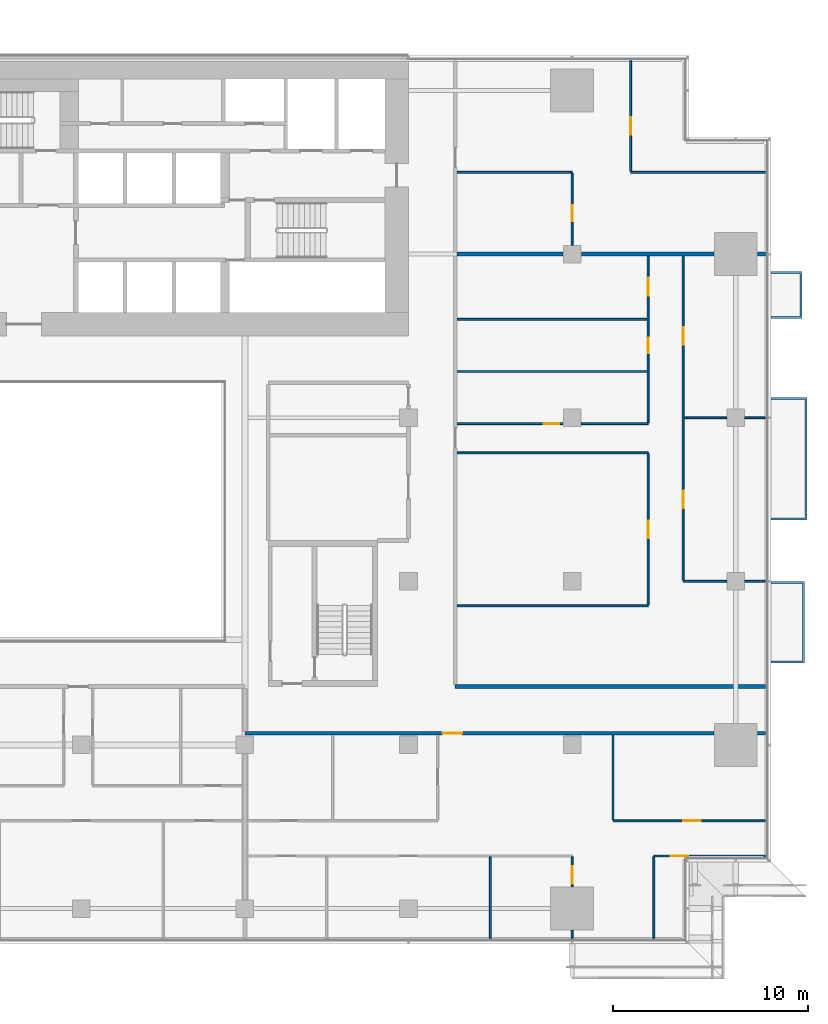
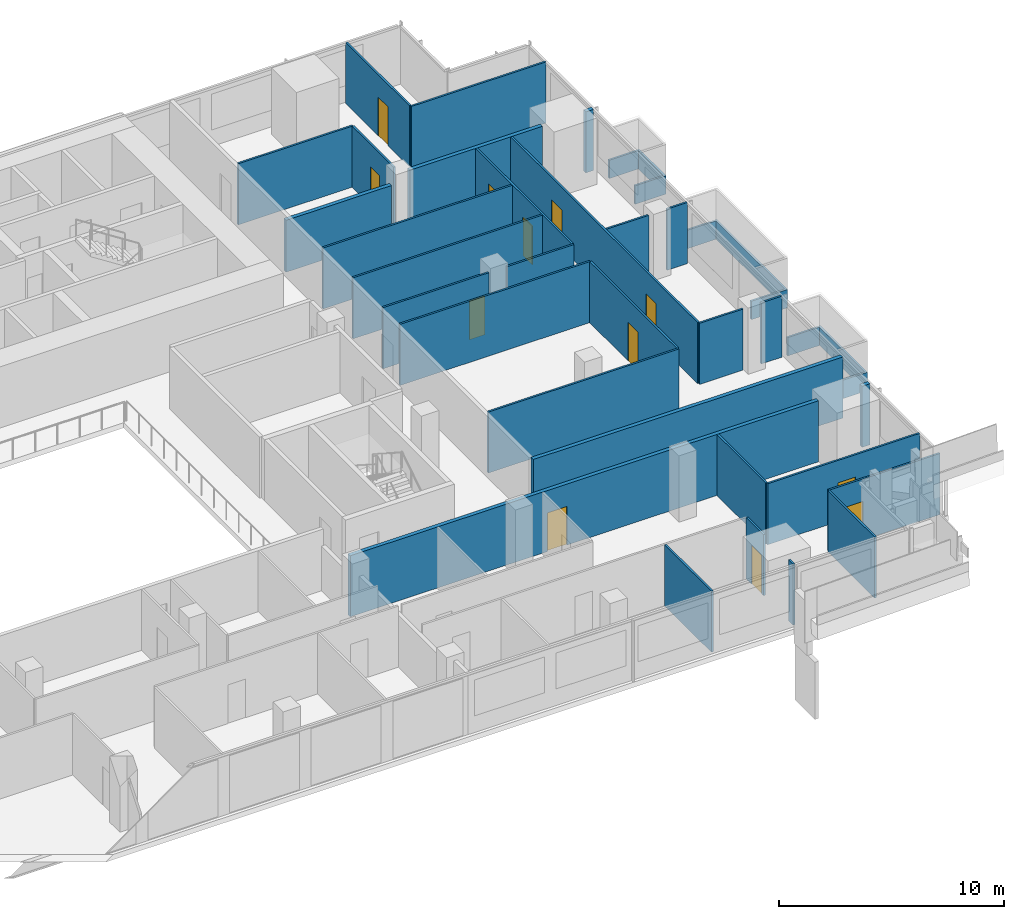
# One storey, part 23 of 29: 33 walls, 12 doors, 12 openings.
"""IFC4 building model written with IfcOpenShell, lengths in metres."""

from ifc_helpers import new_model, si_unit, direction, frame, frame_2d, origin, place, context, subcontext, project, spatial, polyline, rectangle, outline, extrude, material, layer, layer_set, type_object, element, fill, save


model = new_model("IFC4")

# Units and contexts
model_context = context("Model", 3, precision=1e-05, world=origin(), true_north=direction((0.0, 1.0)))
body_context = subcontext(model_context, "Body", "Model", "MODEL_VIEW")
ifc_project = project(units=[si_unit("LENGTHUNIT", "METRE"), si_unit("AREAUNIT", "SQUARE_METRE"), si_unit("VOLUMEUNIT", "CUBIC_METRE"), si_unit("PLANEANGLEUNIT", "RADIAN"), si_unit("MASSUNIT", "GRAM", prefix="KILO")], contexts=[model_context])

# Site, building, storey
site_placement = place(None, origin())
site = spatial("IfcSite", under=ifc_project, at=site_placement, CompositionType="ELEMENT")
building_placement = place(site_placement, origin())
building = spatial("IfcBuilding", under=site, at=building_placement, Name="Saffron Gate Tower", CompositionType="ELEMENT")
storey_placement = place(building_placement, frame((0.0, 0.0, 48.0)))
storey = spatial("IfcBuildingStorey", under=building, at=storey_placement, Name="L10", CompositionType="ELEMENT", Elevation=48.0)

# Wall, opening, door
ifc_material_1 = material(Name="Plasterboard on steel studs", Category="steel")
ifc_layer_1 = layer(ifc_material_1, 0.10009765625)
ifc_layer_set_1 = layer_set([ifc_layer_1], Name="PW1 Partition 100")
wall_type_1 = type_object("IfcWallType", Name="PW1 Partition 100", PredefinedType="PARTITIONING", material=ifc_layer_set_1)
wall_1_placement = place(storey_placement, frame((126.919921875, 34.5, 0.0), z_axis=(0.0, 0.0, 1.0), x_axis=(-1.0, 0.0, 0.0)))
wall_1 = element("IfcWall", 1, at=wall_1_placement, inside=storey, type_object=wall_type_1, Name="Partition A2-4", PredefinedType="PARTITIONING", context=body_context, shape_type="SweptSolid", body=[
    extrude(rectangle(XDim=5.719970703125, YDim=0.10009765625, at=frame_2d((2.85986328125, 0.0))), origin(), (0.0, 0.0, 1.0), 3.320068359375),
])
opening_1_placement = place(wall_1_placement, frame((3.96630859375, 0.0, 0.0)))
opening_1 = element("IfcOpeningElement", 2, at=opening_1_placement, cuts=wall_1, Name="Opening A2-19", PredefinedType="OPENING", context=body_context, shape_type="SweptSolid", body=[
    extrude(rectangle(XDim=0.89990234375, YDim=2.10009765625, at=frame_2d((0.449951171875, 1.050048828125))), frame((0.0, 0.06005859375, 0.0), z_axis=(0.0, -1.0, 0.0), x_axis=(1.0, 0.0, 0.0)), (0.0, 0.0, 1.0), 0.1201171875),
])
ifc_material_2 = material(Name="Timber door set", Category="wood")
door_type_1 = type_object("IfcDoorType", Name="RD1 Room door 900x2100", OperationType="NOTDEFINED", PredefinedType="DOOR", material=ifc_material_2)
door_1_placement = place(opening_1_placement, origin())
door_1 = element("IfcDoor", 3, at=door_1_placement, inside=storey, type_object=door_type_1, Name="Door A2-19", OperationType="SINGLE_SWING_RIGHT", OverallHeight=2.10009765625, OverallWidth=0.89990234375, PredefinedType="DOOR", context=body_context, shape_type="SweptSolid", body=[
    extrude(rectangle(XDim=0.89990234375, YDim=2.10009765625, at=frame_2d((0.449951171875, 1.050048828125))), frame((0.0, 0.02490234375, 0.0), z_axis=(0.0, -1.0, 0.0), x_axis=(1.0, 0.0, 0.0)), (0.0, 0.0, 1.0), 0.050048828125),
])
fill(opening_1, door_1)

wall_2_placement = place(storey_placement, frame((119.10009765625, 36.300048828125, 0.0), z_axis=(0.0, 0.0, 1.0), x_axis=(1.0, 0.0, 0.0)))
wall_2 = element("IfcWall", 4, at=wall_2_placement, inside=storey, type_object=wall_type_1, Name="Partition A2-6", PredefinedType="PARTITIONING", context=body_context, shape_type="SweptSolid", body=[
    extrude(rectangle(XDim=7.81982421875, YDim=0.10009765625, at=frame_2d((3.909912109375, 0.0))), origin(), (0.0, 0.0, 1.0), 3.320068359375),
])
opening_2_placement = place(wall_2_placement, frame((3.60009765625, 0.0, 0.0)))
opening_2 = element("IfcOpeningElement", 5, at=opening_2_placement, cuts=wall_2, Name="Opening A2-20", PredefinedType="OPENING", context=body_context, shape_type="SweptSolid", body=[
    extrude(rectangle(XDim=0.89990234375, YDim=2.10009765625, at=frame_2d((0.449951171875, 1.050048828125))), frame((0.0, 0.06005859375, 0.0), z_axis=(0.0, -1.0, 0.0), x_axis=(1.0, 0.0, 0.0)), (0.0, 0.0, 1.0), 0.1201171875),
])
door_2_placement = place(opening_2_placement, origin())
door_2 = element("IfcDoor", 6, at=door_2_placement, inside=storey, type_object=door_type_1, Name="Door A2-20", OperationType="SINGLE_SWING_RIGHT", OverallHeight=2.10009765625, OverallWidth=0.89990234375, PredefinedType="DOOR", context=body_context, shape_type="SweptSolid", body=[
    extrude(rectangle(XDim=0.89990234375, YDim=2.10009765625, at=frame_2d((0.449951171875, 1.050048828125))), frame((0.0, 0.02490234375, 0.0), z_axis=(0.0, -1.0, 0.0), x_axis=(1.0, 0.0, 0.0)), (0.0, 0.0, 1.0), 0.050048828125),
])
fill(opening_2, door_2)

# Walls
wall_3_placement = place(storey_placement, frame((111.10009765625, 47.34130859375, 0.0), z_axis=(0.0, 0.0, 1.0), x_axis=(1.0, 0.0, 0.0)))
element("IfcWall", 7, at=wall_3_placement, inside=storey, type_object=wall_type_1, Name="Partition A2-16", PredefinedType="PARTITIONING", context=body_context, shape_type="SweptSolid", body=[
    extrude(rectangle(XDim=9.7998046875, YDim=0.10009765625, at=frame_2d((4.89990234375, 0.0))), origin(), (0.0, 0.0, 1.0), 3.320068359375),
])
wall_4_placement = place(storey_placement, frame((122.699951171875, 48.60009765625, 0.0), z_axis=(0.0, 0.0, 1.0), x_axis=(1.0, 0.0, 0.0)))
element("IfcWall", 8, at=wall_4_placement, inside=storey, type_object=wall_type_1, Name="Partition A2-19", PredefinedType="PARTITIONING", context=body_context, shape_type="SweptSolid", body=[
    extrude(rectangle(XDim=2.22998046875, YDim=0.10009765625, at=frame_2d((1.114990234375, 0.0))), origin(), (0.0, 0.0, 1.0), 3.320068359375),
])
wall_5_placement = place(storey_placement, frame((125.8701171875, 48.60009765625, 0.0), z_axis=(0.0, 0.0, 1.0), x_axis=(1.0, 0.0, 0.0)))
element("IfcWall", 9, at=wall_5_placement, inside=storey, type_object=wall_type_1, Name="Partition A2-20", PredefinedType="PARTITIONING", context=body_context, shape_type="SweptSolid", body=[
    extrude(rectangle(XDim=1.0498046875, YDim=0.10009765625, at=frame_2d((0.52490234375, 0.0))), origin(), (0.0, 0.0, 1.0), 3.320068359375),
])
wall_6_placement = place(storey_placement, frame((111.10009765625, 55.199951171875, 0.0), z_axis=(0.0, 0.0, 1.0), x_axis=(1.0, 0.0, 0.0)))
element("IfcWall", 10, at=wall_6_placement, inside=storey, type_object=wall_type_1, Name="Partition A2-27", PredefinedType="PARTITIONING", context=body_context, shape_type="SweptSolid", body=[
    extrude(rectangle(XDim=9.7998046875, YDim=0.10009765625, at=frame_2d((4.89990234375, 0.0))), origin(), (0.0, 0.0, 1.0), 3.320068359375),
])

# Wall, opening, door
wall_7_placement = place(storey_placement, frame((111.10009765625, 56.699951171875, 0.0), z_axis=(0.0, 0.0, 1.0), x_axis=(1.0, 0.0, 0.0)))
wall_7 = element("IfcWall", 11, at=wall_7_placement, inside=storey, type_object=wall_type_1, Name="Partition A2-30", PredefinedType="PARTITIONING", context=body_context, shape_type="SweptSolid", body=[
    extrude(rectangle(XDim=5.429931640625, YDim=0.10009765625, at=frame_2d((2.71484375, 0.0))), origin(), (0.0, 0.0, 1.0), 3.320068359375),
])
opening_3_placement = place(wall_7_placement, frame((4.449951171875, 0.0, 0.0)))
opening_3 = element("IfcOpeningElement", 12, at=opening_3_placement, cuts=wall_7, Name="Opening A2-42", PredefinedType="OPENING", context=body_context, shape_type="SweptSolid", body=[
    extrude(rectangle(XDim=0.800048828125, YDim=2.10009765625, at=frame_2d((0.39990234375, 1.050048828125))), frame((0.0, 0.06005859375, 0.0), z_axis=(0.0, -1.0, 0.0), x_axis=(1.0, 0.0, 0.0)), (0.0, 0.0, 1.0), 0.1201171875),
])
door_type_2 = type_object("IfcDoorType", Name="RD2 Bathroom door 800x2100", OperationType="NOTDEFINED", PredefinedType="DOOR", material=ifc_material_2)
door_3_placement = place(opening_3_placement, origin())
door_3 = element("IfcDoor", 13, at=door_3_placement, inside=storey, type_object=door_type_2, Name="Door A2-42", OperationType="SINGLE_SWING_RIGHT", OverallHeight=2.10009765625, OverallWidth=0.800048828125, PredefinedType="DOOR", context=body_context, shape_type="SweptSolid", body=[
    extrude(rectangle(XDim=0.800048828125, YDim=2.10009765625, at=frame_2d((0.39990234375, 1.050048828125))), frame((0.0, 0.02490234375, 0.0), z_axis=(0.0, -1.0, 0.0), x_axis=(1.0, 0.0, 0.0)), (0.0, 0.0, 1.0), 0.050048828125),
])
fill(opening_3, door_3)

# Walls
wall_8_placement = place(storey_placement, frame((117.469970703125, 56.699951171875, 0.0), z_axis=(0.0, 0.0, 1.0), x_axis=(1.0, 0.0, 0.0)))
element("IfcWall", 14, at=wall_8_placement, inside=storey, type_object=wall_type_1, Name="Partition A2-31", PredefinedType="PARTITIONING", context=body_context, shape_type="SweptSolid", body=[
    extrude(rectangle(XDim=3.429931640625, YDim=0.10009765625, at=frame_2d((1.71484375, 0.0))), origin(), (0.0, 0.0, 1.0), 3.320068359375),
])
wall_9_placement = place(storey_placement, frame((122.75, 57.0, 0.0), z_axis=(0.0, 0.0, 1.0), x_axis=(1.0, 0.0, 0.0)))
element("IfcWall", 15, at=wall_9_placement, inside=storey, type_object=wall_type_1, Name="Partition A2-35", PredefinedType="PARTITIONING", context=body_context, shape_type="SweptSolid", body=[
    extrude(rectangle(XDim=2.179931640625, YDim=0.10009765625, at=frame_2d((1.08984375, 0.0))), origin(), (0.0, 0.0, 1.0), 3.320068359375),
])
wall_10_placement = place(storey_placement, frame((125.8701171875, 57.0, 0.0), z_axis=(0.0, 0.0, 1.0), x_axis=(1.0, 0.0, 0.0)))
element("IfcWall", 16, at=wall_10_placement, inside=storey, type_object=wall_type_1, Name="Partition A2-36", PredefinedType="PARTITIONING", context=body_context, shape_type="SweptSolid", body=[
    extrude(rectangle(XDim=1.0498046875, YDim=0.10009765625, at=frame_2d((0.52490234375, 0.0))), origin(), (0.0, 0.0, 1.0), 3.320068359375),
])
for number, where, z_axis, x_axis, name in (
    (17, (111.10009765625, 59.376708984375, 0.0), (0.0, 0.0, 1.0), (1.0, 0.0, 0.0), "Partition A2-39"),
    (18, (111.10009765625, 62.053466796875, 0.0), (0.0, 0.0, 1.0), (1.0, 0.0, 0.0), "Partition A2-41"),
):
    element("IfcWall", number, at=place(storey_placement, frame(where, z_axis=z_axis, x_axis=x_axis)), inside=storey, type_object=wall_type_1, Name=name, PredefinedType="PARTITIONING", context=body_context, shape_type="SweptSolid", body=[
        extrude(rectangle(XDim=9.75, YDim=0.10009765625, at=frame_2d((4.875, 0.0))), origin(), (0.0, 0.0, 1.0), 3.320068359375),
    ])
wall_11_placement = place(storey_placement, frame((111.10009765625, 69.60009765625, 0.0), z_axis=(0.0, 0.0, 1.0), x_axis=(1.0, 0.0, 0.0)))
element("IfcWall", 19, at=wall_11_placement, inside=storey, type_object=wall_type_1, Name="Partition A2-49", PredefinedType="PARTITIONING", context=body_context, shape_type="SweptSolid", body=[
    extrude(rectangle(XDim=5.89990234375, YDim=0.10009765625, at=frame_2d((2.949951171875, 0.0))), origin(), (0.0, 0.0, 1.0), 3.320068359375),
])
wall_12_placement = place(storey_placement, frame((120.0, 69.60009765625, 0.0), z_axis=(0.0, 0.0, 1.0), x_axis=(1.0, 0.0, 0.0)))
element("IfcWall", 20, at=wall_12_placement, inside=storey, type_object=wall_type_1, Name="Partition A2-50", PredefinedType="PARTITIONING", context=body_context, shape_type="SweptSolid", body=[
    extrude(rectangle(XDim=6.919921875, YDim=0.10009765625, at=frame_2d((3.4599609375, 0.0))), origin(), (0.0, 0.0, 1.0), 3.320068359375),
])
wall_13_placement = place(storey_placement, frame((112.800048828125, 34.449951171875, 0.0), z_axis=(0.0, 0.0, 1.0), x_axis=(0.0, -1.0, 0.0)))
element("IfcWall", 21, at=wall_13_placement, inside=storey, type_object=wall_type_1, Name="Partition A2-89", PredefinedType="PARTITIONING", context=body_context, shape_type="SweptSolid", body=[
    extrude(rectangle(XDim=4.169921875, YDim=0.10009765625, at=frame_2d((2.0849609375, 0.0))), origin(), (0.0, 0.0, 1.0), 3.320068359375),
])
wall_14_placement = place(storey_placement, frame((117.0, 30.679931640625, 0.0), z_axis=(0.0, 0.0, 1.0), x_axis=(0.0, -1.0, 0.0)))
element("IfcWall", 22, at=wall_14_placement, inside=storey, type_object=wall_type_1, Name="Partition A2-90", PredefinedType="PARTITIONING", context=body_context, shape_type="SweptSolid", body=[
    extrude(rectangle(XDim=0.39990234375, YDim=0.10009765625, at=frame_2d((0.199951171875, 0.0))), origin(), (0.0, 0.0, 1.0), 3.320068359375),
])

# Wall, opening, door
wall_15_placement = place(storey_placement, frame((117.0, 32.919921875, 0.0), z_axis=(0.0, 0.0, 1.0), x_axis=(0.0, 1.0, 0.0)))
wall_15 = element("IfcWall", 23, at=wall_15_placement, inside=storey, type_object=wall_type_1, Name="Partition A2-91", PredefinedType="PARTITIONING", context=body_context, shape_type="SweptSolid", body=[
    extrude(rectangle(XDim=1.530029296875, YDim=0.10009765625, at=frame_2d((0.76513671875, 0.0))), origin(), (0.0, 0.0, 1.0), 3.320068359375),
])
opening_4_placement = place(wall_15_placement, frame((0.14990234375, 0.0, 0.0)))
opening_4 = element("IfcOpeningElement", 24, at=opening_4_placement, cuts=wall_15, Name="Opening A2-18", PredefinedType="OPENING", context=body_context, shape_type="SweptSolid", body=[
    extrude(rectangle(XDim=0.89990234375, YDim=2.10009765625, at=frame_2d((0.449951171875, 1.050048828125))), frame((0.0, 0.06005859375, 0.0), z_axis=(0.0, -1.0, 0.0), x_axis=(1.0, 0.0, 0.0)), (0.0, 0.0, 1.0), 0.1201171875),
])
door_4_placement = place(opening_4_placement, origin())
door_4 = element("IfcDoor", 25, at=door_4_placement, inside=storey, type_object=door_type_1, Name="Door A2-18", OperationType="SINGLE_SWING_LEFT", OverallHeight=2.10009765625, OverallWidth=0.89990234375, PredefinedType="DOOR", context=body_context, shape_type="SweptSolid", body=[
    extrude(rectangle(XDim=0.89990234375, YDim=2.10009765625, at=frame_2d((0.449951171875, 1.050048828125))), frame((0.0, 0.02490234375, 0.0), z_axis=(0.0, -1.0, 0.0), x_axis=(1.0, 0.0, 0.0)), (0.0, 0.0, 1.0), 0.050048828125),
])
fill(opening_4, door_4)

wall_16_placement = place(storey_placement, frame((117.0, 65.8701171875, 0.0), z_axis=(0.0, 0.0, 1.0), x_axis=(0.0, 1.0, 0.0)))
wall_16 = element("IfcWall", 26, at=wall_16_placement, inside=storey, type_object=wall_type_1, Name="Partition A2-92", PredefinedType="PARTITIONING", context=body_context, shape_type="SweptSolid", body=[
    extrude(rectangle(XDim=3.679931640625, YDim=0.10009765625, at=frame_2d((1.83984375, 0.0))), origin(), (0.0, 0.0, 1.0), 3.320068359375),
])
opening_5_placement = place(wall_16_placement, frame((1.22998046875, 0.0, 0.0)))
opening_5 = element("IfcOpeningElement", 27, at=opening_5_placement, cuts=wall_16, Name="Opening A2-44", PredefinedType="OPENING", context=body_context, shape_type="SweptSolid", body=[
    extrude(rectangle(XDim=0.800048828125, YDim=2.10009765625, at=frame_2d((0.39990234375, 1.050048828125))), frame((0.0, 0.06005859375, 0.0), z_axis=(0.0, -1.0, 0.0), x_axis=(1.0, 0.0, 0.0)), (0.0, 0.0, 1.0), 0.1201171875),
])
door_5_placement = place(opening_5_placement, origin())
door_5 = element("IfcDoor", 28, at=door_5_placement, inside=storey, type_object=door_type_2, Name="Door A2-44", OperationType="SINGLE_SWING_LEFT", OverallHeight=2.10009765625, OverallWidth=0.800048828125, PredefinedType="DOOR", context=body_context, shape_type="SweptSolid", body=[
    extrude(rectangle(XDim=0.800048828125, YDim=2.10009765625, at=frame_2d((0.39990234375, 1.050048828125))), frame((0.0, 0.02490234375, 0.0), z_axis=(0.0, -1.0, 0.0), x_axis=(1.0, 0.0, 0.0)), (0.0, 0.0, 1.0), 0.050048828125),
])
fill(opening_5, door_5)

# Wall
wall_17_placement = place(storey_placement, frame((119.10009765625, 40.699951171875, 0.0), z_axis=(0.0, 0.0, 1.0), x_axis=(0.0, -1.0, 0.0)))
element("IfcWall", 29, at=wall_17_placement, inside=storey, type_object=wall_type_1, Name="Partition A2-93", PredefinedType="PARTITIONING", context=body_context, shape_type="SweptSolid", body=[
    extrude(rectangle(XDim=4.349853515625, YDim=0.10009765625, at=frame_2d((2.1748046875, 0.0))), origin(), (0.0, 0.0, 1.0), 3.320068359375),
])

# Wall, opening, door
wall_18_placement = place(storey_placement, frame((120.0, 75.320068359375, 0.0), z_axis=(0.0, 0.0, 1.0), x_axis=(0.0, -1.0, 0.0)))
wall_18 = element("IfcWall", 30, at=wall_18_placement, inside=storey, type_object=wall_type_1, Name="Partition A2-94", PredefinedType="PARTITIONING", context=body_context, shape_type="SweptSolid", body=[
    extrude(rectangle(XDim=5.670166015625, YDim=0.10009765625, at=frame_2d((2.8349609375, 0.0))), origin(), (0.0, 0.0, 1.0), 3.320068359375),
])
opening_6_placement = place(wall_18_placement, frame((2.89111328125, 0.0, 0.0)))
opening_6 = element("IfcOpeningElement", 31, at=opening_6_placement, cuts=wall_18, Name="Opening A2-31", PredefinedType="OPENING", context=body_context, shape_type="SweptSolid", body=[
    extrude(rectangle(XDim=0.89990234375, YDim=2.10009765625, at=frame_2d((0.449951171875, 1.050048828125))), frame((0.0, 0.06005859375, 0.0), z_axis=(0.0, -1.0, 0.0), x_axis=(1.0, 0.0, 0.0)), (0.0, 0.0, 1.0), 0.1201171875),
])
door_6_placement = place(opening_6_placement, origin())
door_6 = element("IfcDoor", 32, at=door_6_placement, inside=storey, type_object=door_type_1, Name="Door A2-31", OperationType="SINGLE_SWING_RIGHT", OverallHeight=2.10009765625, OverallWidth=0.89990234375, PredefinedType="DOOR", context=body_context, shape_type="SweptSolid", body=[
    extrude(rectangle(XDim=0.89990234375, YDim=2.10009765625, at=frame_2d((0.449951171875, 1.050048828125))), frame((0.0, 0.02490234375, 0.0), z_axis=(0.0, -1.0, 0.0), x_axis=(1.0, 0.0, 0.0)), (0.0, 0.0, 1.0), 0.050048828125),
])
fill(opening_6, door_6)

wall_19_placement = place(storey_placement, frame((120.89990234375, 47.391357421875, 0.0), z_axis=(0.0, 0.0, 1.0), x_axis=(0.0, 1.0, 0.0)))
wall_19 = element("IfcWall", 33, at=wall_19_placement, inside=storey, type_object=wall_type_1, Name="Partition A2-95", PredefinedType="PARTITIONING", context=body_context, shape_type="SweptSolid", body=[
    extrude(rectangle(XDim=7.758544921875, YDim=0.10009765625, at=frame_2d((3.87939453125, 0.0))), origin(), (0.0, 0.0, 1.0), 3.320068359375),
])
opening_7_placement = place(wall_19_placement, frame((3.42919921875, 0.0, 0.0)))
opening_7 = element("IfcOpeningElement", 34, at=opening_7_placement, cuts=wall_19, Name="Opening A2-29", PredefinedType="OPENING", context=body_context, shape_type="SweptSolid", body=[
    extrude(rectangle(XDim=0.89990234375, YDim=2.10009765625, at=frame_2d((0.449951171875, 1.050048828125))), frame((0.0, 0.06005859375, 0.0), z_axis=(0.0, -1.0, 0.0), x_axis=(1.0, 0.0, 0.0)), (0.0, 0.0, 1.0), 0.1201171875),
])
door_7_placement = place(opening_7_placement, origin())
door_7 = element("IfcDoor", 35, at=door_7_placement, inside=storey, type_object=door_type_1, Name="Door A2-29", OperationType="SINGLE_SWING_LEFT", OverallHeight=2.10009765625, OverallWidth=0.89990234375, PredefinedType="DOOR", context=body_context, shape_type="SweptSolid", body=[
    extrude(rectangle(XDim=0.89990234375, YDim=2.10009765625, at=frame_2d((0.449951171875, 1.050048828125))), frame((0.0, 0.02490234375, 0.0), z_axis=(0.0, -1.0, 0.0), x_axis=(1.0, 0.0, 0.0)), (0.0, 0.0, 1.0), 0.050048828125),
])
fill(opening_7, door_7)

# Wall, openings, doors
wall_20_placement = place(storey_placement, frame((120.89990234375, 56.75, 0.0), z_axis=(0.0, 0.0, 1.0), x_axis=(0.0, 1.0, 0.0)))
wall_20 = element("IfcWall", 36, at=wall_20_placement, inside=storey, type_object=wall_type_1, Name="Partition A2-96", PredefinedType="PARTITIONING", context=body_context, shape_type="SweptSolid", body=[
    extrude(rectangle(XDim=8.550048828125, YDim=0.10009765625, at=frame_2d((4.27490234375, 0.0))), origin(), (0.0, 0.0, 1.0), 3.320068359375),
])
opening_8_placement = place(wall_20_placement, frame((3.565185546875, 0.0, 0.0)))
opening_8 = element("IfcOpeningElement", 37, at=opening_8_placement, cuts=wall_20, Name="Opening A2-43", PredefinedType="OPENING", context=body_context, shape_type="SweptSolid", body=[
    extrude(rectangle(XDim=0.800048828125, YDim=2.10009765625, at=frame_2d((0.39990234375, 1.050048828125))), frame((0.0, 0.06005859375, 0.0), z_axis=(0.0, -1.0, 0.0), x_axis=(1.0, 0.0, 0.0)), (0.0, 0.0, 1.0), 0.1201171875),
])
opening_9_placement = place(wall_20_placement, frame((6.526611328125, 0.0, 0.0)))
opening_9 = element("IfcOpeningElement", 38, at=opening_9_placement, cuts=wall_20, Name="Opening A2-30", PredefinedType="OPENING", context=body_context, shape_type="SweptSolid", body=[
    extrude(rectangle(XDim=0.89990234375, YDim=2.10009765625, at=frame_2d((0.449951171875, 1.050048828125))), frame((0.0, 0.06005859375, 0.0), z_axis=(0.0, -1.0, 0.0), x_axis=(1.0, 0.0, 0.0)), (0.0, 0.0, 1.0), 0.1201171875),
])
door_8_placement = place(opening_9_placement, origin())
door_8 = element("IfcDoor", 39, at=door_8_placement, inside=storey, type_object=door_type_1, Name="Door A2-30", OperationType="SINGLE_SWING_RIGHT", OverallHeight=2.10009765625, OverallWidth=0.89990234375, PredefinedType="DOOR", context=body_context, shape_type="SweptSolid", body=[
    extrude(rectangle(XDim=0.89990234375, YDim=2.10009765625, at=frame_2d((0.449951171875, 1.050048828125))), frame((0.0, 0.02490234375, 0.0), z_axis=(0.0, -1.0, 0.0), x_axis=(1.0, 0.0, 0.0)), (0.0, 0.0, 1.0), 0.050048828125),
])
fill(opening_9, door_8)
door_9_placement = place(opening_8_placement, origin())
door_9 = element("IfcDoor", 40, at=door_9_placement, inside=storey, type_object=door_type_2, Name="Door A2-43", OperationType="SINGLE_SWING_RIGHT", OverallHeight=2.10009765625, OverallWidth=0.800048828125, PredefinedType="DOOR", context=body_context, shape_type="SweptSolid", body=[
    extrude(rectangle(XDim=0.800048828125, YDim=2.10009765625, at=frame_2d((0.39990234375, 1.050048828125))), frame((0.0, 0.02490234375, 0.0), z_axis=(0.0, -1.0, 0.0), x_axis=(1.0, 0.0, 0.0)), (0.0, 0.0, 1.0), 0.050048828125),
])
fill(opening_8, door_9)

# Wall
wall_21_placement = place(storey_placement, frame((121.199951171875, 34.449951171875, 0.0), z_axis=(0.0, 0.0, 1.0), x_axis=(0.0, -1.0, 0.0)))
element("IfcWall", 41, at=wall_21_placement, inside=storey, type_object=wall_type_1, Name="Partition A2-97", PredefinedType="PARTITIONING", context=body_context, shape_type="SweptSolid", body=[
    extrude(rectangle(XDim=4.169921875, YDim=0.10009765625, at=frame_2d((2.0849609375, 0.0))), origin(), (0.0, 0.0, 1.0), 3.320068359375),
])

# Wall, openings, doors
wall_22_placement = place(storey_placement, frame((122.699951171875, 65.300048828125, 0.0), z_axis=(0.0, 0.0, 1.0), x_axis=(0.0, -1.0, 0.0)))
wall_22 = element("IfcWall", 42, at=wall_22_placement, inside=storey, type_object=wall_type_1, Name="Partition A2-98", PredefinedType="PARTITIONING", context=body_context, shape_type="SweptSolid", body=[
    extrude(rectangle(XDim=16.650146484375, YDim=0.10009765625, at=frame_2d((8.3251953125, 0.0))), origin(), (0.0, 0.0, 1.0), 3.320068359375),
])
opening_10_placement = place(wall_22_placement, frame((3.64990234375, 0.0, 0.0)))
opening_10 = element("IfcOpeningElement", 43, at=opening_10_placement, cuts=wall_22, Name="Opening A2-28", PredefinedType="OPENING", context=body_context, shape_type="SweptSolid", body=[
    extrude(rectangle(XDim=0.89990234375, YDim=2.10009765625, at=frame_2d((0.449951171875, 1.050048828125))), frame((0.0, 0.06005859375, 0.0), z_axis=(0.0, -1.0, 0.0), x_axis=(1.0, 0.0, 0.0)), (0.0, 0.0, 1.0), 0.1201171875),
])
opening_11_placement = place(wall_22_placement, frame((12.050048828125, 0.0, 0.0)))
opening_11 = element("IfcOpeningElement", 44, at=opening_11_placement, cuts=wall_22, Name="Opening A2-27", PredefinedType="OPENING", context=body_context, shape_type="SweptSolid", body=[
    extrude(rectangle(XDim=0.89990234375, YDim=2.10009765625, at=frame_2d((0.449951171875, 1.050048828125))), frame((0.0, 0.06005859375, 0.0), z_axis=(0.0, -1.0, 0.0), x_axis=(1.0, 0.0, 0.0)), (0.0, 0.0, 1.0), 0.1201171875),
])
door_10_placement = place(opening_10_placement, origin())
door_10 = element("IfcDoor", 45, at=door_10_placement, inside=storey, type_object=door_type_1, Name="Door A2-28", OperationType="SINGLE_SWING_LEFT", OverallHeight=2.10009765625, OverallWidth=0.89990234375, PredefinedType="DOOR", context=body_context, shape_type="SweptSolid", body=[
    extrude(rectangle(XDim=0.89990234375, YDim=2.10009765625, at=frame_2d((0.449951171875, 1.050048828125))), frame((0.0, 0.02490234375, 0.0), z_axis=(0.0, -1.0, 0.0), x_axis=(1.0, 0.0, 0.0)), (0.0, 0.0, 1.0), 0.050048828125),
])
fill(opening_10, door_10)
door_11_placement = place(opening_11_placement, origin())
door_11 = element("IfcDoor", 46, at=door_11_placement, inside=storey, type_object=door_type_1, Name="Door A2-27", OperationType="SINGLE_SWING_RIGHT", OverallHeight=2.10009765625, OverallWidth=0.89990234375, PredefinedType="DOOR", context=body_context, shape_type="SweptSolid", body=[
    extrude(rectangle(XDim=0.89990234375, YDim=2.10009765625, at=frame_2d((0.449951171875, 1.050048828125))), frame((0.0, 0.02490234375, 0.0), z_axis=(0.0, -1.0, 0.0), x_axis=(1.0, 0.0, 0.0)), (0.0, 0.0, 1.0), 0.050048828125),
])
fill(opening_11, door_11)

# Walls
ifc_material_3 = material(Name="Clay brick masonry, rendered", Category="masonry")
ifc_layer_2 = layer(ifc_material_3, 0.199951171875)
ifc_layer_set_2 = layer_set([ifc_layer_2], Name="PW2 Demising wall 200")
wall_type_2 = type_object("IfcWallType", Name="PW2 Demising wall 200", PredefinedType="PARTITIONING", material=ifc_layer_set_2)
wall_23_placement = place(storey_placement, frame((111.10009765625, 65.39990234375, 0.0), z_axis=(0.0, 0.0, 1.0), x_axis=(1.0, 0.0, 0.0)))
element("IfcWall", 47, at=wall_23_placement, inside=storey, type_object=wall_type_2, Name="Wall A2-43", PredefinedType="PARTITIONING", context=body_context, shape_type="SweptSolid", body=[
    extrude(rectangle(XDim=5.429931640625, YDim=0.199951171875, at=frame_2d((2.71484375, 0.0))), origin(), (0.0, 0.0, 1.0), 2.820068359375),
])
wall_24_placement = place(storey_placement, frame((117.469970703125, 65.39990234375, 0.0), z_axis=(0.0, 0.0, 1.0), x_axis=(1.0, 0.0, 0.0)))
element("IfcWall", 48, at=wall_24_placement, inside=storey, type_object=wall_type_2, Name="Wall A2-44", PredefinedType="PARTITIONING", context=body_context, shape_type="SweptSolid", body=[
    extrude(rectangle(XDim=6.81005859375, YDim=0.199951171875, at=frame_2d((3.405029296875, 0.0))), origin(), (0.0, 0.0, 1.0), 3.320068359375),
])
wall_25_placement = place(storey_placement, frame((126.52001953125, 65.39990234375, 0.0), z_axis=(0.0, 0.0, 1.0), x_axis=(1.0, 0.0, 0.0)))
element("IfcWall", 49, at=wall_25_placement, inside=storey, type_object=wall_type_2, Name="Wall A2-45", PredefinedType="PARTITIONING", context=body_context, shape_type="SweptSolid", body=[
    extrude(rectangle(XDim=0.39990234375, YDim=0.199951171875, at=frame_2d((0.199951171875, 0.0))), origin(), (0.0, 0.0, 1.0), 3.320068359375),
])

# Wall, opening, door
ifc_layer_3 = layer(ifc_material_3, 0.199951171875)
ifc_layer_set_3 = layer_set([ifc_layer_3], Name="PW3 Corridor wall 200")
wall_type_3 = type_object("IfcWallType", Name="PW3 Corridor wall 200", PredefinedType="PARTITIONING", material=ifc_layer_set_3)
wall_26_placement = place(storey_placement, frame((124.280029296875, 40.800048828125, 0.0), z_axis=(0.0, 0.0, 1.0), x_axis=(-1.0, 0.0, 0.0)))
wall_26 = element("IfcWall", 50, at=wall_26_placement, inside=storey, type_object=wall_type_3, Name="Wall A2-11", PredefinedType="PARTITIONING", context=body_context, shape_type="SweptSolid", body=[
    extrude(rectangle(XDim=24.080078125, YDim=0.199951171875, at=frame_2d((12.0400390625, 0.0))), origin(), (0.0, 0.0, 1.0), 3.320068359375),
])
opening_12_placement = place(wall_26_placement, frame((12.929931640625, 0.0, 0.0)))
opening_12 = element("IfcOpeningElement", 51, at=opening_12_placement, cuts=wall_26, Name="Opening A2-3", PredefinedType="OPENING", context=body_context, shape_type="SweptSolid", body=[
    extrude(rectangle(XDim=1.0, YDim=2.10009765625, at=frame_2d((0.5, 1.050048828125))), frame((0.0, 0.10986328125, 0.0), z_axis=(0.0, -1.0, 0.0), x_axis=(1.0, 0.0, 0.0)), (0.0, 0.0, 1.0), 0.219970703125),
])
ifc_material_4 = material(Name="Timber fire door set", Category="wood")
door_type_3 = type_object("IfcDoorType", Name="FD1 Flat entry door 1000x2100", OperationType="NOTDEFINED", PredefinedType="DOOR", material=ifc_material_4)
door_12_placement = place(opening_12_placement, origin())
door_12 = element("IfcDoor", 52, at=door_12_placement, inside=storey, type_object=door_type_3, Name="Door A2-3", OperationType="SINGLE_SWING_RIGHT", OverallHeight=2.10009765625, OverallWidth=1.0, PredefinedType="DOOR", context=body_context, shape_type="SweptSolid", body=[
    extrude(rectangle(XDim=1.0, YDim=2.10009765625, at=frame_2d((0.5, 1.050048828125))), frame((0.0, 0.02490234375, 0.0), z_axis=(0.0, -1.0, 0.0), x_axis=(1.0, 0.0, 0.0)), (0.0, 0.0, 1.0), 0.050048828125),
])
fill(opening_12, door_12)

# Walls
wall_27_placement = place(storey_placement, frame((126.52001953125, 40.800048828125, 0.0), z_axis=(0.0, 0.0, 1.0), x_axis=(1.0, 0.0, 0.0)))
element("IfcWall", 53, at=wall_27_placement, inside=storey, type_object=wall_type_3, Name="Wall A2-12", PredefinedType="PARTITIONING", context=body_context, shape_type="SweptSolid", body=[
    extrude(rectangle(XDim=0.39990234375, YDim=0.199951171875, at=frame_2d((0.199951171875, 0.0))), origin(), (0.0, 0.0, 1.0), 3.320068359375),
])
wall_28_placement = place(storey_placement, frame((111.0, 43.199951171875, 0.0), z_axis=(0.0, 0.0, 1.0), x_axis=(1.0, 0.0, 0.0)))
element("IfcWall", 54, at=wall_28_placement, inside=storey, type_object=wall_type_3, Name="Wall A2-15", PredefinedType="PARTITIONING", context=body_context, shape_type="SweptSolid", body=[
    extrude(rectangle(XDim=15.919921875, YDim=0.199951171875, at=frame_2d((7.9599609375, 0.0))), origin(), (0.0, 0.0, 1.0), 3.320068359375),
])
ifc_material_5 = material(Name="Rendered insulated panel, white")
ifc_layer_4 = layer(ifc_material_5, 0.10009765625)
ifc_layer_set_4 = layer_set([ifc_layer_4], Name="WB3 box parapet white")
wall_type_4 = type_object("IfcWallType", Name="WB3 box parapet white", PredefinedType="SOLIDWALL", material=ifc_layer_set_4)
wall_29_placement = place(storey_placement, origin())
element("IfcWall", 55, at=wall_29_placement, inside=storey, type_object=wall_type_4, Name="WINDOW BOX parapet", PredefinedType="SOLIDWALL", context=body_context, shape_type="SweptSolid", body=[
    extrude(outline(polyline([(127.199951171875, 44.39990234375), (127.199951171875, 44.5), (128.8330078125, 44.5), (128.8330078125, 48.5), (127.199951171875, 48.5), (127.199951171875, 48.60009765625), (128.93310546875, 48.60009765625), (128.93310546875, 44.39990234375), (127.199951171875, 44.39990234375)])), origin(), (0.0, 0.0, 1.0), 1.0),
])
wall_30_placement = place(storey_placement, origin())
element("IfcWall", 56, at=wall_30_placement, inside=storey, type_object=wall_type_4, Name="WINDOW BOX parapet", PredefinedType="SOLIDWALL", context=body_context, shape_type="SweptSolid", body=[
    extrude(outline(polyline([(127.199951171875, 51.75), (127.199951171875, 51.85009765625), (128.967041015625, 51.85009765625), (128.967041015625, 57.949951171875), (127.199951171875, 57.949951171875), (127.199951171875, 58.050048828125), (129.06689453125, 58.050048828125), (129.06689453125, 51.75), (127.199951171875, 51.75)])), origin(), (0.0, 0.0, 1.0), 1.0),
])
wall_31_placement = place(storey_placement, origin())
element("IfcWall", 57, at=wall_31_placement, inside=storey, type_object=wall_type_4, Name="WINDOW BOX parapet", PredefinedType="SOLIDWALL", context=body_context, shape_type="SweptSolid", body=[
    extrude(outline(polyline([(127.199951171875, 62.10009765625), (127.199951171875, 62.199951171875), (128.699951171875, 62.199951171875), (128.699951171875, 64.39990234375), (127.199951171875, 64.39990234375), (127.199951171875, 64.5), (128.800048828125, 64.5), (128.800048828125, 62.10009765625), (127.199951171875, 62.10009765625)])), origin(), (0.0, 0.0, 1.0), 1.0),
])

save(model, "model.ifc")
